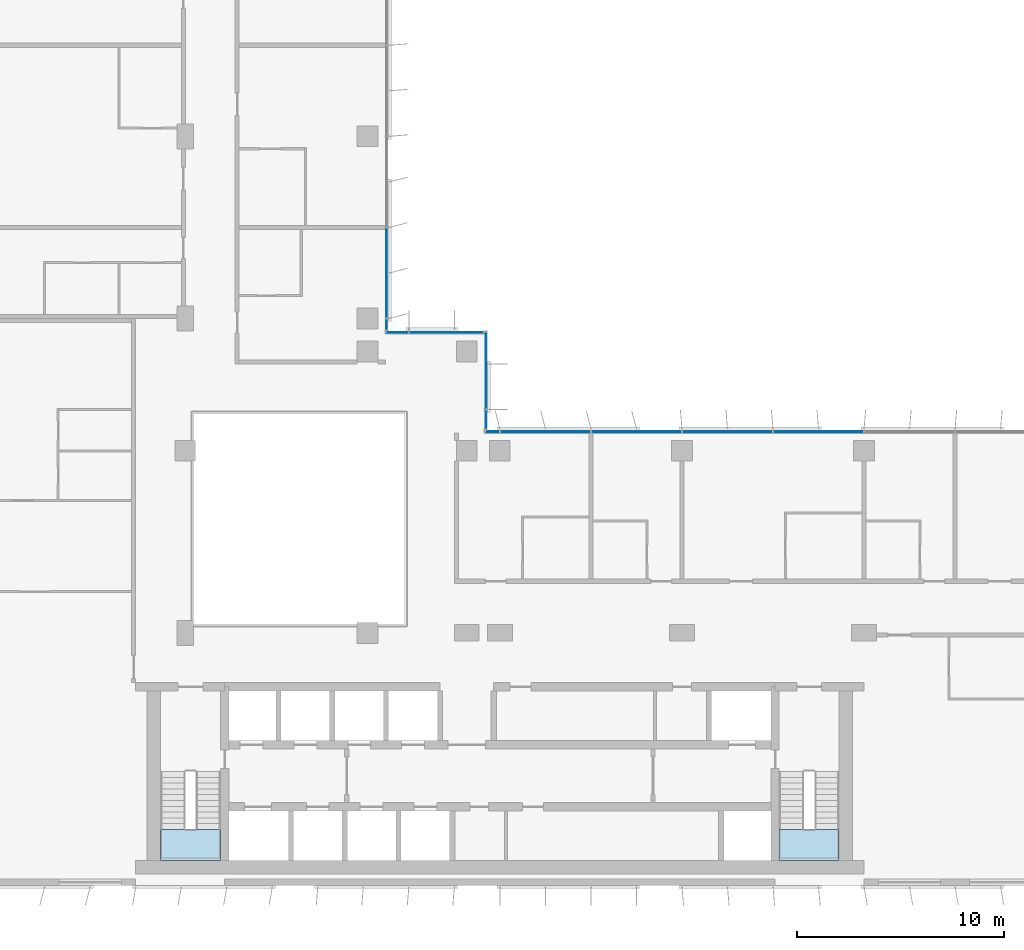
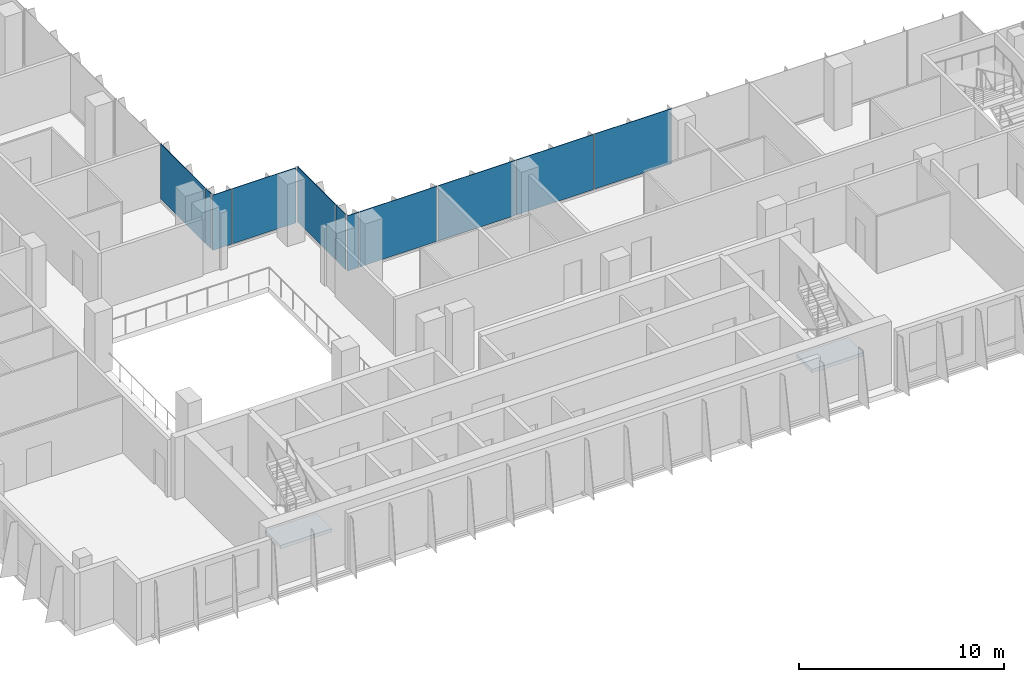
# One storey, part 10 of 20: 11 plates, 2 slabs, 6 elements without a shape of their own.
"""IFC4 building model written with IfcOpenShell, lengths in metres."""

from ifc_helpers import new_model, si_unit, direction, frame, origin, origin_2d, place, context, subcontext, project, spatial, polyline, rectangle, outline, extrude, source, transform, mapped, material, layer, layer_set, type_object, element, aggregate, save


model = new_model("IFC4")

# Units and contexts
model_context = context("Model", 3, precision=1e-05, world=origin(), true_north=direction((0.0, 1.0)))
body_context = subcontext(model_context, "Body", "Model", "MODEL_VIEW")
ifc_project = project(units=[si_unit("LENGTHUNIT", "METRE"), si_unit("AREAUNIT", "SQUARE_METRE"), si_unit("VOLUMEUNIT", "CUBIC_METRE"), si_unit("PLANEANGLEUNIT", "RADIAN"), si_unit("MASSUNIT", "GRAM", prefix="KILO")], contexts=[model_context])

# Site, building, storey
site_placement = place(None, origin())
site = spatial("IfcSite", under=ifc_project, at=site_placement, CompositionType="ELEMENT")
building_placement = place(site_placement, origin())
building = spatial("IfcBuilding", under=site, at=building_placement, Name="Kemantara Hotel Tower", CompositionType="ELEMENT")
storey_placement = place(building_placement, frame((0.0, 0.0, 186.39990234375)))
storey = spatial("IfcBuildingStorey", under=building, at=storey_placement, Name="L46", CompositionType="ELEMENT", Elevation=186.39990234375)

# Stair, slab
ifc_material_1 = material(Name="Concrete fc 40 MPa", Category="concrete")
stair_type = type_object("IfcStairType", Name="Stair 1200 wide 22 risers of 168 x 280 mm", PredefinedType="HALF_TURN_STAIR", material=ifc_material_1)
stair_1_placement = place(storey_placement, origin())
stair_1 = element("IfcStair", 1, at=stair_1_placement, inside=storey, type_object=stair_type, Name="L46 Exit stair ST1", PredefinedType="HALF_TURN_STAIR")
ifc_layer_1 = layer(ifc_material_1, 0.199951171875)
ifc_layer_set_1 = layer_set([ifc_layer_1], Name="Concrete fc 40 MPa")
slab_type = type_object("IfcSlabType", Name="Stair landing 200 mm", PredefinedType="LANDING", material=ifc_layer_set_1)
slab_1_placement = place(storey_placement, frame((0.0, 0.0, 1.650146484375)))
slab_1 = element("IfcSlab", 2, at=slab_1_placement, type_object=slab_type, Name="ST1 landing 1", PredefinedType="LANDING", context=body_context, shape_type="SweptSolid", body=[
    extrude(outline(polyline([(11.0, 2.699951171875), (11.0, 1.199951171875), (13.89990234375, 1.199951171875), (13.89990234375, 2.699951171875), (11.0, 2.699951171875)])), origin(), (0.0, 0.0, 1.0), 0.199951171875),
])
aggregate(stair_1, [slab_1])

stair_2_placement = place(storey_placement, origin())
stair_2 = element("IfcStair", 3, at=stair_2_placement, inside=storey, type_object=stair_type, Name="L46 Exit stair ST2", PredefinedType="HALF_TURN_STAIR")
slab_2_placement = place(storey_placement, frame((0.0, 0.0, 1.650146484375)))
slab_2 = element("IfcSlab", 4, at=slab_2_placement, type_object=slab_type, Name="ST2 landing 1", PredefinedType="LANDING", context=body_context, shape_type="SweptSolid", body=[
    extrude(outline(polyline([(40.89990234375, 2.699951171875), (40.89990234375, 1.199951171875), (43.800048828125, 1.199951171875), (43.800048828125, 2.699951171875), (40.89990234375, 2.699951171875)])), origin(), (0.0, 0.0, 1.0), 0.199951171875),
])
aggregate(stair_2, [slab_2])

# Curtain wall, plates
ifc_material_2 = material(Name="Low-E tinted double insulated glass 36 mm", Category="glass")
curtain_wall_type = type_object("IfcCurtainWallType", Name="TOWER CURTAIN WALL, FRONT FACES", PredefinedType="USERDEFINED", material=ifc_material_2)
curtain_wall_1_placement = place(storey_placement, origin())
curtain_wall_1 = element("IfcCurtainWall", 5, at=curtain_wall_1_placement, inside=storey, type_object=curtain_wall_type, Name="CW4 L46 T3-R14-1", ObjectType="TOWER CURTAIN WALL, FRONT FACES", PredefinedType="USERDEFINED")
ifc_layer_2 = layer(ifc_material_2, 0.035888671875)
ifc_layer_set_2 = layer_set([ifc_layer_2], Name="Low-E tinted double insulated glass 36 mm")
plate_type = type_object("IfcPlateType", Name="TOWER CURTAIN WALL, FRONT FACES PANEL", PredefinedType="CURTAIN_PANEL", material=ifc_layer_set_2)
shared_shape_1 = source(origin(), body_context, "Body", "SweptSolid", [
    extrude(rectangle(XDim=4.340087890625, YDim=0.035888671875, at=origin_2d()), origin(), (0.0, 0.0, 1.0), 3.280029296875),
])
plate_1_placement = place(storey_placement, frame((42.800048828125, 21.925048828125, 0.1201171875), z_axis=(0.0, 0.0, 1.0), x_axis=(-1.0, 0.0, 0.0)))
plate_1 = element("IfcPlate", 6, at=plate_1_placement, type_object=plate_type, Name="CW4 glass panel T3-R14-1.5", PredefinedType="CURTAIN_PANEL", context=body_context, shape_type="MappedRepresentation", body=[
    mapped(shared_shape_1, transform((0.0, 0.0, 0.0))),
])
plate_2_placement = place(storey_placement, frame((38.39990234375, 21.925048828125, 0.1201171875), z_axis=(0.0, 0.0, 1.0), x_axis=(-1.0, 0.0, 0.0)))
plate_2 = element("IfcPlate", 7, at=plate_2_placement, type_object=plate_type, Name="CW4 glass panel T3-R14-1.6", PredefinedType="CURTAIN_PANEL", context=body_context, shape_type="MappedRepresentation", body=[
    mapped(shared_shape_1, transform((0.0, 0.0, 0.0))),
])
plate_3_placement = place(storey_placement, frame((34.0, 21.925048828125, 0.1201171875), z_axis=(0.0, 0.0, 1.0), x_axis=(-1.0, 0.0, 0.0)))
plate_3 = element("IfcPlate", 8, at=plate_3_placement, type_object=plate_type, Name="CW4 glass panel T3-R14-1.7", PredefinedType="CURTAIN_PANEL", context=body_context, shape_type="MappedRepresentation", body=[
    mapped(shared_shape_1, transform((0.0, 0.0, 0.0))),
])
plate_4_placement = place(storey_placement, frame((29.60009765625, 21.925048828125, 0.1201171875), z_axis=(0.0, 0.0, 1.0), x_axis=(-1.0, 0.0, 0.0)))
plate_4 = element("IfcPlate", 9, at=plate_4_placement, type_object=plate_type, Name="CW4 glass panel T3-R14-1.8", PredefinedType="CURTAIN_PANEL", context=body_context, shape_type="MappedRepresentation", body=[
    mapped(shared_shape_1, transform((0.0, 0.0, 0.0))),
])

# Curtain wall, plate
curtain_wall_2_placement = place(storey_placement, origin())
curtain_wall_2 = element("IfcCurtainWall", 10, at=curtain_wall_2_placement, inside=storey, type_object=curtain_wall_type, Name="CW4 L46 T3-R17-1", ObjectType="TOWER CURTAIN WALL, FRONT FACES", PredefinedType="USERDEFINED")
plate_5_placement = place(storey_placement, frame((21.925048828125, 29.60009765625, 0.1201171875), z_axis=(0.0, 0.0, 1.0), x_axis=(0.0, 1.0, 0.0)))
plate_5 = element("IfcPlate", 11, at=plate_5_placement, type_object=plate_type, Name="CW4 glass panel T3-R17-1.2", PredefinedType="CURTAIN_PANEL", context=body_context, shape_type="MappedRepresentation", body=[
    mapped(shared_shape_1, transform((0.0, 0.0, 0.0))),
])

# Plate
shared_shape_2 = source(origin(), body_context, "Body", "SweptSolid", [
    extrude(rectangle(XDim=0.659912109375, YDim=0.035888671875, at=origin_2d()), origin(), (0.0, 0.0, 1.0), 3.280029296875),
])
plate_6_placement = place(storey_placement, frame((27.0400390625, 21.925048828125, 0.1201171875), z_axis=(0.0, 0.0, 1.0), x_axis=(-1.0, 0.0, 0.0)))
plate_6 = element("IfcPlate", 12, at=plate_6_placement, type_object=plate_type, Name="CW4 glass panel T3-R14-1.9", PredefinedType="CURTAIN_PANEL", context=body_context, shape_type="MappedRepresentation", body=[
    mapped(shared_shape_2, transform((0.0, 0.0, 0.0))),
])

aggregate(curtain_wall_1, [plate_1, plate_2, plate_3, plate_4, plate_6])

shared_shape_3 = source(origin(), body_context, "Body", "SweptSolid", [
    extrude(rectangle(XDim=0.510009765625, YDim=0.035888671875, at=origin_2d()), origin(), (0.0, 0.0, 1.0), 3.280029296875),
])
plate_7_placement = place(storey_placement, frame((21.925048828125, 27.114990234375, 0.1201171875), z_axis=(0.0, 0.0, 1.0), x_axis=(0.0, 1.0, 0.0)))
plate_7 = element("IfcPlate", 13, at=plate_7_placement, type_object=plate_type, Name="CW4 glass panel T3-R17-1.1", PredefinedType="CURTAIN_PANEL", context=body_context, shape_type="MappedRepresentation", body=[
    mapped(shared_shape_3, transform((0.0, 0.0, 0.0))),
])

aggregate(curtain_wall_2, [plate_7, plate_5])

# Curtain wall, plates
curtain_wall_3_placement = place(storey_placement, origin())
curtain_wall_3 = element("IfcCurtainWall", 14, at=curtain_wall_3_placement, inside=storey, type_object=curtain_wall_type, Name="CW4 L46 T3-R15-1", ObjectType="TOWER CURTAIN WALL, FRONT FACES", PredefinedType="USERDEFINED")
shared_shape_4 = source(origin(), body_context, "Body", "SweptSolid", [
    extrude(rectangle(XDim=0.909912109375, YDim=0.035888671875, at=origin_2d()), origin(), (0.0, 0.0, 1.0), 3.280029296875),
])
plate_8_placement = place(storey_placement, frame((26.72509765625, 22.514892578125, 0.1201171875), z_axis=(0.0, 0.0, 1.0), x_axis=(0.0, 1.0, 0.0)))
plate_8 = element("IfcPlate", 15, at=plate_8_placement, type_object=plate_type, Name="CW4 glass panel T3-R15-1.1", PredefinedType="CURTAIN_PANEL", context=body_context, shape_type="MappedRepresentation", body=[
    mapped(shared_shape_4, transform((0.0, 0.0, 0.0))),
])
shared_shape_5 = source(origin(), body_context, "Body", "SweptSolid", [
    extrude(rectangle(XDim=3.7099609375, YDim=0.035888671875, at=origin_2d()), origin(), (0.0, 0.0, 1.0), 3.280029296875),
])
plate_9_placement = place(storey_placement, frame((26.72509765625, 24.885009765625, 0.1201171875), z_axis=(0.0, 0.0, 1.0), x_axis=(0.0, 1.0, 0.0)))
plate_9 = element("IfcPlate", 16, at=plate_9_placement, type_object=plate_type, Name="CW4 glass panel T3-R15-1.2", PredefinedType="CURTAIN_PANEL", context=body_context, shape_type="MappedRepresentation", body=[
    mapped(shared_shape_5, transform((0.0, 0.0, 0.0))),
])
aggregate(curtain_wall_3, [plate_8, plate_9])

curtain_wall_4_placement = place(storey_placement, origin())
curtain_wall_4 = element("IfcCurtainWall", 17, at=curtain_wall_4_placement, inside=storey, type_object=curtain_wall_type, Name="CW4 L46 T3-R16-1", ObjectType="TOWER CURTAIN WALL, FRONT FACES", PredefinedType="USERDEFINED")
shared_shape_6 = source(origin(), body_context, "Body", "SweptSolid", [
    extrude(rectangle(XDim=3.56005859375, YDim=0.035888671875, at=origin_2d()), origin(), (0.0, 0.0, 1.0), 3.280029296875),
])
plate_10_placement = place(storey_placement, frame((24.81005859375, 26.72509765625, 0.1201171875), z_axis=(0.0, 0.0, 1.0), x_axis=(-1.0, 0.0, 0.0)))
plate_10 = element("IfcPlate", 18, at=plate_10_placement, type_object=plate_type, Name="CW4 glass panel T3-R16-1.1", PredefinedType="CURTAIN_PANEL", context=body_context, shape_type="MappedRepresentation", body=[
    mapped(shared_shape_6, transform((0.0, 0.0, 0.0))),
])
shared_shape_7 = source(origin(), body_context, "Body", "SweptSolid", [
    extrude(rectangle(XDim=1.06005859375, YDim=0.035888671875, at=origin_2d()), origin(), (0.0, 0.0, 1.0), 3.280029296875),
])
plate_11_placement = place(storey_placement, frame((22.43994140625, 26.72509765625, 0.1201171875), z_axis=(0.0, 0.0, 1.0), x_axis=(-1.0, 0.0, 0.0)))
plate_11 = element("IfcPlate", 19, at=plate_11_placement, type_object=plate_type, Name="CW4 glass panel T3-R16-1.2", PredefinedType="CURTAIN_PANEL", context=body_context, shape_type="MappedRepresentation", body=[
    mapped(shared_shape_7, transform((0.0, 0.0, 0.0))),
])
aggregate(curtain_wall_4, [plate_10, plate_11])

save(model, "model.ifc")
